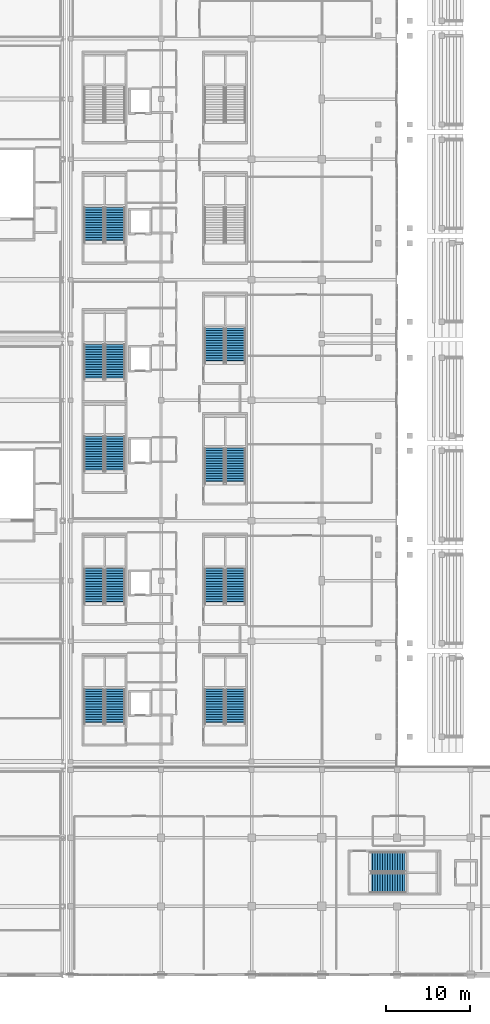
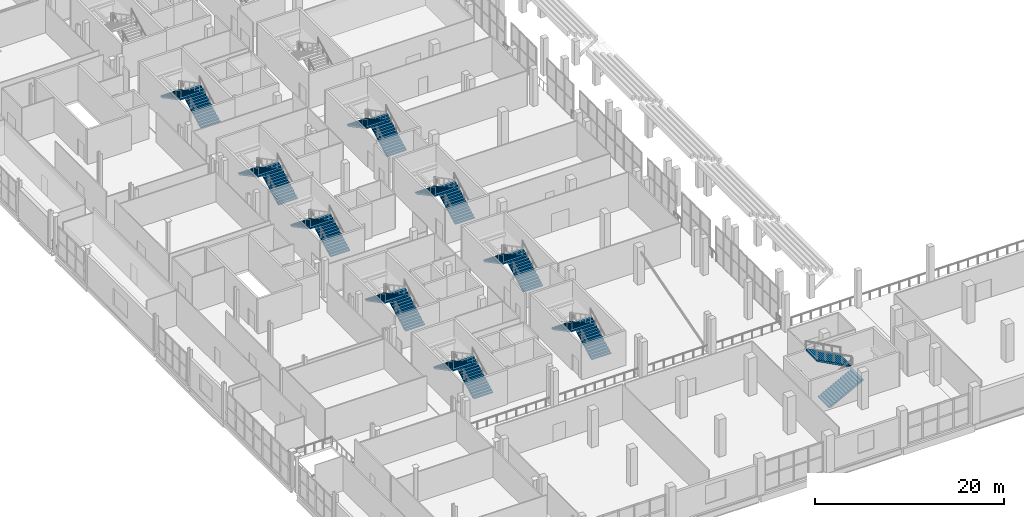
# One storey, part 106 of 142: 20 stair flights, 10 elements without a shape of their own.
"""IFC4 building model written with IfcOpenShell, lengths in metres."""

from ifc_helpers import new_model, si_unit, direction, frame, origin, place, context, subcontext, project, spatial, polyline, outline, extrude, material, type_object, element, aggregate, save


model = new_model("IFC4")

# Units and contexts
model_context = context("Model", 3, precision=1e-05, world=origin(), true_north=direction((0.0, 1.0)))
body_context = subcontext(model_context, "Body", "Model", "MODEL_VIEW")
ifc_project = project(units=[si_unit("LENGTHUNIT", "METRE"), si_unit("AREAUNIT", "SQUARE_METRE"), si_unit("VOLUMEUNIT", "CUBIC_METRE"), si_unit("PLANEANGLEUNIT", "RADIAN"), si_unit("MASSUNIT", "GRAM", prefix="KILO")], contexts=[model_context])

# Site, building, storey
site_placement = place(None, origin())
site = spatial("IfcSite", under=ifc_project, at=site_placement, CompositionType="ELEMENT")
building_placement = place(site_placement, origin())
building = spatial("IfcBuilding", under=site, at=building_placement, Name="Koshinbarg Plaza Stadium", CompositionType="ELEMENT")
storey_placement = place(building_placement, frame((0.0, 0.0, 10.199951171875)))
storey = spatial("IfcBuildingStorey", under=building, at=storey_placement, Name="L02", CompositionType="ELEMENT", Elevation=10.199951171875)

# Stair, stair flights
ifc_material = material(Name="Concrete C35/45", Category="concrete")
stair_type_1 = type_object("IfcStairType", Name="ST-CORE-48", PredefinedType="HALF_TURN_STAIR", material=ifc_material)
stair_1_placement = place(storey_placement, origin())
stair_1 = element("IfcStair", 1, at=stair_1_placement, inside=storey, type_object=stair_type_1, Name="L02 Protected Exit Stair C01", PredefinedType="HALF_TURN_STAIR")
stair_flight_type = type_object("IfcStairFlightType", Name="SFL-CORE-48", PredefinedType="STRAIGHT", material=ifc_material)
stair_flight_1_placement = place(storey_placement, frame((29.889892578125, 29.9599609375, 0.0), z_axis=(0.0, 0.0, 1.0), x_axis=(0.0, 1.0, 0.0)))
stair_flight_1 = element("IfcStairFlight", 2, at=stair_flight_1_placement, type_object=stair_flight_type, Name="L02 Protected Exit Stair C01 flight 005", NumberOfRisers=15, NumberOfTreads=14, PredefinedType="STRAIGHT", RiserHeight=0.16, TreadLength=0.3, context=body_context, shape_type="SweptSolid", body=[
    extrude(outline(polyline([(0.0, 0.0), (0.0, 0.159912109375), (0.300048828125, 0.159912109375), (0.300048828125, 0.320068359375), (0.60009765625, 0.320068359375), (0.60009765625, 0.47998046875), (0.89990234375, 0.47998046875), (0.89990234375, 0.639892578125), (1.199951171875, 0.639892578125), (1.199951171875, 0.800048828125), (1.5, 0.800048828125), (1.5, 0.9599609375), (1.800048828125, 0.9599609375), (1.800048828125, 1.1201171875), (2.10009765625, 1.1201171875), (2.10009765625, 1.280029296875), (2.39990234375, 1.280029296875), (2.39990234375, 1.43994140625), (2.699951171875, 1.43994140625), (2.699951171875, 1.60009765625), (3.0, 1.60009765625), (3.0, 1.760009765625), (3.300048828125, 1.760009765625), (3.300048828125, 1.919921875), (3.60009765625, 1.919921875), (3.60009765625, 2.080078125), (3.89990234375, 2.080078125), (3.89990234375, 2.239990234375), (4.199951171875, 2.239990234375), (4.199951171875, 2.39990234375), (4.199951171875, 2.070068359375), (0.318603515625, 0.0), (0.0, 0.0)])), frame((0.0, 1.18017578125, 0.0), z_axis=(0.0, -1.0, 0.0), x_axis=(1.0, 0.0, 0.0)), (0.0, 0.0, 1.0), 2.360107421875),
])
stair_flight_2_placement = place(storey_placement, frame((27.3798828125, 34.159912109375, 2.400146484375), z_axis=(0.0, 0.0, 1.0), x_axis=(0.0, -1.0, 0.0)))
stair_flight_2 = element("IfcStairFlight", 3, at=stair_flight_2_placement, type_object=stair_flight_type, Name="L02 Protected Exit Stair C01 flight 006", NumberOfRisers=15, NumberOfTreads=14, PredefinedType="STRAIGHT", RiserHeight=0.16, TreadLength=0.3, context=body_context, shape_type="SweptSolid", body=[
    extrude(outline(polyline([(0.0, 0.0), (0.0, 0.159912109375), (0.300048828125, 0.159912109375), (0.300048828125, 0.320068359375), (0.60009765625, 0.320068359375), (0.60009765625, 0.47998046875), (0.89990234375, 0.47998046875), (0.89990234375, 0.639892578125), (1.199951171875, 0.639892578125), (1.199951171875, 0.800048828125), (1.5, 0.800048828125), (1.5, 0.9599609375), (1.800048828125, 0.9599609375), (1.800048828125, 1.1201171875), (2.10009765625, 1.1201171875), (2.10009765625, 1.280029296875), (2.39990234375, 1.280029296875), (2.39990234375, 1.43994140625), (2.699951171875, 1.43994140625), (2.699951171875, 1.60009765625), (3.0, 1.60009765625), (3.0, 1.760009765625), (3.300048828125, 1.760009765625), (3.300048828125, 1.919921875), (3.60009765625, 1.919921875), (3.60009765625, 2.080078125), (3.89990234375, 2.080078125), (3.89990234375, 2.239990234375), (4.199951171875, 2.239990234375), (4.199951171875, 2.39990234375), (4.199951171875, 2.070068359375), (0.318603515625, 0.0), (0.0, 0.0)])), frame((0.0, 1.18017578125, 0.0), z_axis=(0.0, -1.0, 0.0), x_axis=(1.0, 0.0, 0.0)), (0.0, 0.0, 1.0), 2.360107421875),
])
aggregate(stair_1, [stair_flight_1, stair_flight_2])

stair_2_placement = place(storey_placement, origin())
stair_2 = element("IfcStair", 4, at=stair_2_placement, inside=storey, type_object=stair_type_1, Name="L02 Protected Exit Stair C02", PredefinedType="HALF_TURN_STAIR")
stair_flight_3_placement = place(storey_placement, frame((29.889892578125, 44.360107421875, 0.0), z_axis=(0.0, 0.0, 1.0), x_axis=(0.0, 1.0, 0.0)))
stair_flight_3 = element("IfcStairFlight", 5, at=stair_flight_3_placement, type_object=stair_flight_type, Name="L02 Protected Exit Stair C02 flight 017", NumberOfRisers=15, NumberOfTreads=14, PredefinedType="STRAIGHT", RiserHeight=0.16, TreadLength=0.3, context=body_context, shape_type="SweptSolid", body=[
    extrude(outline(polyline([(0.0, 0.0), (0.0, 0.159912109375), (0.300048828125, 0.159912109375), (0.300048828125, 0.320068359375), (0.60009765625, 0.320068359375), (0.60009765625, 0.47998046875), (0.89990234375, 0.47998046875), (0.89990234375, 0.639892578125), (1.199951171875, 0.639892578125), (1.199951171875, 0.800048828125), (1.5, 0.800048828125), (1.5, 0.9599609375), (1.800048828125, 0.9599609375), (1.800048828125, 1.1201171875), (2.10009765625, 1.1201171875), (2.10009765625, 1.280029296875), (2.39990234375, 1.280029296875), (2.39990234375, 1.43994140625), (2.699951171875, 1.43994140625), (2.699951171875, 1.60009765625), (3.0, 1.60009765625), (3.0, 1.760009765625), (3.300048828125, 1.760009765625), (3.300048828125, 1.919921875), (3.60009765625, 1.919921875), (3.60009765625, 2.080078125), (3.89990234375, 2.080078125), (3.89990234375, 2.239990234375), (4.199951171875, 2.239990234375), (4.199951171875, 2.39990234375), (4.199951171875, 2.070068359375), (0.318603515625, 0.0), (0.0, 0.0)])), frame((0.0, 1.18017578125, 0.0), z_axis=(0.0, -1.0, 0.0), x_axis=(1.0, 0.0, 0.0)), (0.0, 0.0, 1.0), 2.360107421875),
])
stair_flight_4_placement = place(storey_placement, frame((27.3798828125, 48.56005859375, 2.400146484375), z_axis=(0.0, 0.0, 1.0), x_axis=(0.0, -1.0, 0.0)))
stair_flight_4 = element("IfcStairFlight", 6, at=stair_flight_4_placement, type_object=stair_flight_type, Name="L02 Protected Exit Stair C02 flight 018", NumberOfRisers=15, NumberOfTreads=14, PredefinedType="STRAIGHT", RiserHeight=0.16, TreadLength=0.3, context=body_context, shape_type="SweptSolid", body=[
    extrude(outline(polyline([(0.0, 0.0), (0.0, 0.159912109375), (0.300048828125, 0.159912109375), (0.300048828125, 0.320068359375), (0.60009765625, 0.320068359375), (0.60009765625, 0.47998046875), (0.89990234375, 0.47998046875), (0.89990234375, 0.639892578125), (1.199951171875, 0.639892578125), (1.199951171875, 0.800048828125), (1.5, 0.800048828125), (1.5, 0.9599609375), (1.800048828125, 0.9599609375), (1.800048828125, 1.1201171875), (2.10009765625, 1.1201171875), (2.10009765625, 1.280029296875), (2.39990234375, 1.280029296875), (2.39990234375, 1.43994140625), (2.699951171875, 1.43994140625), (2.699951171875, 1.60009765625), (3.0, 1.60009765625), (3.0, 1.760009765625), (3.300048828125, 1.760009765625), (3.300048828125, 1.919921875), (3.60009765625, 1.919921875), (3.60009765625, 2.080078125), (3.89990234375, 2.080078125), (3.89990234375, 2.239990234375), (4.199951171875, 2.239990234375), (4.199951171875, 2.39990234375), (4.199951171875, 2.070068359375), (0.318603515625, 0.0), (0.0, 0.0)])), frame((0.0, 1.18017578125, 0.0), z_axis=(0.0, -1.0, 0.0), x_axis=(1.0, 0.0, 0.0)), (0.0, 0.0, 1.0), 2.360107421875),
])
aggregate(stair_2, [stair_flight_3, stair_flight_4])

stair_3_placement = place(storey_placement, origin())
stair_3 = element("IfcStair", 7, at=stair_3_placement, inside=storey, type_object=stair_type_1, Name="L02 Protected Exit Stair C03", PredefinedType="HALF_TURN_STAIR")
stair_flight_5_placement = place(storey_placement, frame((29.889892578125, 60.159912109375, 0.0), z_axis=(0.0, 0.0, 1.0), x_axis=(0.0, 1.0, 0.0)))
stair_flight_5 = element("IfcStairFlight", 8, at=stair_flight_5_placement, type_object=stair_flight_type, Name="L02 Protected Exit Stair C03 flight 029", NumberOfRisers=15, NumberOfTreads=14, PredefinedType="STRAIGHT", RiserHeight=0.16, TreadLength=0.3, context=body_context, shape_type="SweptSolid", body=[
    extrude(outline(polyline([(0.0, 0.0), (0.0, 0.159912109375), (0.300048828125, 0.159912109375), (0.300048828125, 0.320068359375), (0.60009765625, 0.320068359375), (0.60009765625, 0.47998046875), (0.89990234375, 0.47998046875), (0.89990234375, 0.639892578125), (1.199951171875, 0.639892578125), (1.199951171875, 0.800048828125), (1.5, 0.800048828125), (1.5, 0.9599609375), (1.800048828125, 0.9599609375), (1.800048828125, 1.1201171875), (2.10009765625, 1.1201171875), (2.10009765625, 1.280029296875), (2.39990234375, 1.280029296875), (2.39990234375, 1.43994140625), (2.699951171875, 1.43994140625), (2.699951171875, 1.60009765625), (3.0, 1.60009765625), (3.0, 1.760009765625), (3.300048828125, 1.760009765625), (3.300048828125, 1.919921875), (3.60009765625, 1.919921875), (3.60009765625, 2.080078125), (3.89990234375, 2.080078125), (3.89990234375, 2.239990234375), (4.199951171875, 2.239990234375), (4.199951171875, 2.39990234375), (4.199951171875, 2.070068359375), (0.318603515625, 0.0), (0.0, 0.0)])), frame((0.0, 1.18017578125, 0.0), z_axis=(0.0, -1.0, 0.0), x_axis=(1.0, 0.0, 0.0)), (0.0, 0.0, 1.0), 2.360107421875),
])
stair_flight_6_placement = place(storey_placement, frame((27.3798828125, 64.360107421875, 2.400146484375), z_axis=(0.0, 0.0, 1.0), x_axis=(0.0, -1.0, 0.0)))
stair_flight_6 = element("IfcStairFlight", 9, at=stair_flight_6_placement, type_object=stair_flight_type, Name="L02 Protected Exit Stair C03 flight 030", NumberOfRisers=15, NumberOfTreads=14, PredefinedType="STRAIGHT", RiserHeight=0.16, TreadLength=0.3, context=body_context, shape_type="SweptSolid", body=[
    extrude(outline(polyline([(0.0, 0.0), (0.0, 0.159912109375), (0.300048828125, 0.159912109375), (0.300048828125, 0.320068359375), (0.60009765625, 0.320068359375), (0.60009765625, 0.47998046875), (0.89990234375, 0.47998046875), (0.89990234375, 0.639892578125), (1.199951171875, 0.639892578125), (1.199951171875, 0.800048828125), (1.5, 0.800048828125), (1.5, 0.9599609375), (1.800048828125, 0.9599609375), (1.800048828125, 1.1201171875), (2.10009765625, 1.1201171875), (2.10009765625, 1.280029296875), (2.39990234375, 1.280029296875), (2.39990234375, 1.43994140625), (2.699951171875, 1.43994140625), (2.699951171875, 1.60009765625), (3.0, 1.60009765625), (3.0, 1.760009765625), (3.300048828125, 1.760009765625), (3.300048828125, 1.919921875), (3.60009765625, 1.919921875), (3.60009765625, 2.080078125), (3.89990234375, 2.080078125), (3.89990234375, 2.239990234375), (4.199951171875, 2.239990234375), (4.199951171875, 2.39990234375), (4.199951171875, 2.070068359375), (0.318603515625, 0.0), (0.0, 0.0)])), frame((0.0, 1.18017578125, 0.0), z_axis=(0.0, -1.0, 0.0), x_axis=(1.0, 0.0, 0.0)), (0.0, 0.0, 1.0), 2.360107421875),
])
aggregate(stair_3, [stair_flight_5, stair_flight_6])

stair_4_placement = place(storey_placement, origin())
stair_4 = element("IfcStair", 10, at=stair_4_placement, inside=storey, type_object=stair_type_1, Name="L02 Protected Exit Stair C04", PredefinedType="HALF_TURN_STAIR")
stair_flight_7_placement = place(storey_placement, frame((29.889892578125, 71.159912109375, 0.0), z_axis=(0.0, 0.0, 1.0), x_axis=(0.0, 1.0, 0.0)))
stair_flight_7 = element("IfcStairFlight", 11, at=stair_flight_7_placement, type_object=stair_flight_type, Name="L02 Protected Exit Stair C04 flight 041", NumberOfRisers=15, NumberOfTreads=14, PredefinedType="STRAIGHT", RiserHeight=0.16, TreadLength=0.3, context=body_context, shape_type="SweptSolid", body=[
    extrude(outline(polyline([(0.0, 0.0), (0.0, 0.159912109375), (0.300048828125, 0.159912109375), (0.300048828125, 0.320068359375), (0.60009765625, 0.320068359375), (0.60009765625, 0.47998046875), (0.89990234375, 0.47998046875), (0.89990234375, 0.639892578125), (1.199951171875, 0.639892578125), (1.199951171875, 0.800048828125), (1.5, 0.800048828125), (1.5, 0.9599609375), (1.800048828125, 0.9599609375), (1.800048828125, 1.1201171875), (2.10009765625, 1.1201171875), (2.10009765625, 1.280029296875), (2.39990234375, 1.280029296875), (2.39990234375, 1.43994140625), (2.699951171875, 1.43994140625), (2.699951171875, 1.60009765625), (3.0, 1.60009765625), (3.0, 1.760009765625), (3.300048828125, 1.760009765625), (3.300048828125, 1.919921875), (3.60009765625, 1.919921875), (3.60009765625, 2.080078125), (3.89990234375, 2.080078125), (3.89990234375, 2.239990234375), (4.199951171875, 2.239990234375), (4.199951171875, 2.39990234375), (4.199951171875, 2.070068359375), (0.318603515625, 0.0), (0.0, 0.0)])), frame((0.0, 1.18017578125, 0.0), z_axis=(0.0, -1.0, 0.0), x_axis=(1.0, 0.0, 0.0)), (0.0, 0.0, 1.0), 2.360107421875),
])
stair_flight_8_placement = place(storey_placement, frame((27.3798828125, 75.360107421875, 2.400146484375), z_axis=(0.0, 0.0, 1.0), x_axis=(0.0, -1.0, 0.0)))
stair_flight_8 = element("IfcStairFlight", 12, at=stair_flight_8_placement, type_object=stair_flight_type, Name="L02 Protected Exit Stair C04 flight 042", NumberOfRisers=15, NumberOfTreads=14, PredefinedType="STRAIGHT", RiserHeight=0.16, TreadLength=0.3, context=body_context, shape_type="SweptSolid", body=[
    extrude(outline(polyline([(0.0, 0.0), (0.0, 0.159912109375), (0.300048828125, 0.159912109375), (0.300048828125, 0.320068359375), (0.60009765625, 0.320068359375), (0.60009765625, 0.47998046875), (0.89990234375, 0.47998046875), (0.89990234375, 0.639892578125), (1.199951171875, 0.639892578125), (1.199951171875, 0.800048828125), (1.5, 0.800048828125), (1.5, 0.9599609375), (1.800048828125, 0.9599609375), (1.800048828125, 1.1201171875), (2.10009765625, 1.1201171875), (2.10009765625, 1.280029296875), (2.39990234375, 1.280029296875), (2.39990234375, 1.43994140625), (2.699951171875, 1.43994140625), (2.699951171875, 1.60009765625), (3.0, 1.60009765625), (3.0, 1.760009765625), (3.300048828125, 1.760009765625), (3.300048828125, 1.919921875), (3.60009765625, 1.919921875), (3.60009765625, 2.080078125), (3.89990234375, 2.080078125), (3.89990234375, 2.239990234375), (4.199951171875, 2.239990234375), (4.199951171875, 2.39990234375), (4.199951171875, 2.070068359375), (0.318603515625, 0.0), (0.0, 0.0)])), frame((0.0, 1.18017578125, 0.0), z_axis=(0.0, -1.0, 0.0), x_axis=(1.0, 0.0, 0.0)), (0.0, 0.0, 1.0), 2.360107421875),
])
aggregate(stair_4, [stair_flight_7, stair_flight_8])

stair_5_placement = place(storey_placement, origin())
stair_5 = element("IfcStair", 13, at=stair_5_placement, inside=storey, type_object=stair_type_1, Name="L02 Protected Exit Stair C05", PredefinedType="HALF_TURN_STAIR")
stair_flight_9_placement = place(storey_placement, frame((29.889892578125, 87.56005859375, 0.0), z_axis=(0.0, 0.0, 1.0), x_axis=(0.0, 1.0, 0.0)))
stair_flight_9 = element("IfcStairFlight", 14, at=stair_flight_9_placement, type_object=stair_flight_type, Name="L02 Protected Exit Stair C05 flight 053", NumberOfRisers=15, NumberOfTreads=14, PredefinedType="STRAIGHT", RiserHeight=0.16, TreadLength=0.3, context=body_context, shape_type="SweptSolid", body=[
    extrude(outline(polyline([(0.0, 0.0), (0.0, 0.159912109375), (0.300048828125, 0.159912109375), (0.300048828125, 0.320068359375), (0.60009765625, 0.320068359375), (0.60009765625, 0.47998046875), (0.89990234375, 0.47998046875), (0.89990234375, 0.639892578125), (1.199951171875, 0.639892578125), (1.199951171875, 0.800048828125), (1.5, 0.800048828125), (1.5, 0.9599609375), (1.800048828125, 0.9599609375), (1.800048828125, 1.1201171875), (2.10009765625, 1.1201171875), (2.10009765625, 1.280029296875), (2.39990234375, 1.280029296875), (2.39990234375, 1.43994140625), (2.699951171875, 1.43994140625), (2.699951171875, 1.60009765625), (3.0, 1.60009765625), (3.0, 1.760009765625), (3.300048828125, 1.760009765625), (3.300048828125, 1.919921875), (3.60009765625, 1.919921875), (3.60009765625, 2.080078125), (3.89990234375, 2.080078125), (3.89990234375, 2.239990234375), (4.199951171875, 2.239990234375), (4.199951171875, 2.39990234375), (4.199951171875, 2.070068359375), (0.318603515625, 0.0), (0.0, 0.0)])), frame((0.0, 1.18017578125, 0.0), z_axis=(0.0, -1.0, 0.0), x_axis=(1.0, 0.0, 0.0)), (0.0, 0.0, 1.0), 2.360107421875),
])
stair_flight_10_placement = place(storey_placement, frame((27.3798828125, 91.760009765625, 2.400146484375), z_axis=(0.0, 0.0, 1.0), x_axis=(0.0, -1.0, 0.0)))
stair_flight_10 = element("IfcStairFlight", 15, at=stair_flight_10_placement, type_object=stair_flight_type, Name="L02 Protected Exit Stair C05 flight 054", NumberOfRisers=15, NumberOfTreads=14, PredefinedType="STRAIGHT", RiserHeight=0.16, TreadLength=0.3, context=body_context, shape_type="SweptSolid", body=[
    extrude(outline(polyline([(0.0, 0.0), (0.0, 0.159912109375), (0.300048828125, 0.159912109375), (0.300048828125, 0.320068359375), (0.60009765625, 0.320068359375), (0.60009765625, 0.47998046875), (0.89990234375, 0.47998046875), (0.89990234375, 0.639892578125), (1.199951171875, 0.639892578125), (1.199951171875, 0.800048828125), (1.5, 0.800048828125), (1.5, 0.9599609375), (1.800048828125, 0.9599609375), (1.800048828125, 1.1201171875), (2.10009765625, 1.1201171875), (2.10009765625, 1.280029296875), (2.39990234375, 1.280029296875), (2.39990234375, 1.43994140625), (2.699951171875, 1.43994140625), (2.699951171875, 1.60009765625), (3.0, 1.60009765625), (3.0, 1.760009765625), (3.300048828125, 1.760009765625), (3.300048828125, 1.919921875), (3.60009765625, 1.919921875), (3.60009765625, 2.080078125), (3.89990234375, 2.080078125), (3.89990234375, 2.239990234375), (4.199951171875, 2.239990234375), (4.199951171875, 2.39990234375), (4.199951171875, 2.070068359375), (0.318603515625, 0.0), (0.0, 0.0)])), frame((0.0, 1.18017578125, 0.0), z_axis=(0.0, -1.0, 0.0), x_axis=(1.0, 0.0, 0.0)), (0.0, 0.0, 1.0), 2.360107421875),
])
aggregate(stair_5, [stair_flight_9, stair_flight_10])

stair_6_placement = place(storey_placement, origin())
stair_6 = element("IfcStair", 16, at=stair_6_placement, inside=storey, type_object=stair_type_1, Name="L02 Protected Exit Stair C13", PredefinedType="HALF_TURN_STAIR")
stair_flight_11_placement = place(storey_placement, frame((60.360107421875, 10.97998046875, 0.0), z_axis=(0.0, 0.0, 1.0), x_axis=(1.0, 0.0, 0.0)))
stair_flight_11 = element("IfcStairFlight", 17, at=stair_flight_11_placement, type_object=stair_flight_type, Name="L02 Protected Exit Stair C13 flight 129", NumberOfRisers=15, NumberOfTreads=14, PredefinedType="STRAIGHT", RiserHeight=0.16, TreadLength=0.3, context=body_context, shape_type="SweptSolid", body=[
    extrude(outline(polyline([(0.0, 0.0), (0.0, 0.159912109375), (0.300048828125, 0.159912109375), (0.300048828125, 0.320068359375), (0.60009765625, 0.320068359375), (0.60009765625, 0.47998046875), (0.89990234375, 0.47998046875), (0.89990234375, 0.639892578125), (1.199951171875, 0.639892578125), (1.199951171875, 0.800048828125), (1.5, 0.800048828125), (1.5, 0.9599609375), (1.800048828125, 0.9599609375), (1.800048828125, 1.1201171875), (2.10009765625, 1.1201171875), (2.10009765625, 1.280029296875), (2.39990234375, 1.280029296875), (2.39990234375, 1.43994140625), (2.699951171875, 1.43994140625), (2.699951171875, 1.60009765625), (3.0, 1.60009765625), (3.0, 1.760009765625), (3.300048828125, 1.760009765625), (3.300048828125, 1.919921875), (3.60009765625, 1.919921875), (3.60009765625, 2.080078125), (3.89990234375, 2.080078125), (3.89990234375, 2.239990234375), (4.199951171875, 2.239990234375), (4.199951171875, 2.39990234375), (4.199951171875, 2.070068359375), (0.318603515625, 0.0), (0.0, 0.0)])), frame((0.0, 1.18017578125, 0.0), z_axis=(0.0, -1.0, 0.0), x_axis=(1.0, 0.0, 0.0)), (0.0, 0.0, 1.0), 2.360107421875),
])
stair_flight_12_placement = place(storey_placement, frame((64.56005859375, 13.489990234375, 2.400146484375), z_axis=(0.0, 0.0, 1.0), x_axis=(-1.0, 0.0, 0.0)))
stair_flight_12 = element("IfcStairFlight", 18, at=stair_flight_12_placement, type_object=stair_flight_type, Name="L02 Protected Exit Stair C13 flight 130", NumberOfRisers=15, NumberOfTreads=14, PredefinedType="STRAIGHT", RiserHeight=0.16, TreadLength=0.3, context=body_context, shape_type="SweptSolid", body=[
    extrude(outline(polyline([(0.0, 0.0), (0.0, 0.159912109375), (0.300048828125, 0.159912109375), (0.300048828125, 0.320068359375), (0.60009765625, 0.320068359375), (0.60009765625, 0.47998046875), (0.89990234375, 0.47998046875), (0.89990234375, 0.639892578125), (1.199951171875, 0.639892578125), (1.199951171875, 0.800048828125), (1.5, 0.800048828125), (1.5, 0.9599609375), (1.800048828125, 0.9599609375), (1.800048828125, 1.1201171875), (2.10009765625, 1.1201171875), (2.10009765625, 1.280029296875), (2.39990234375, 1.280029296875), (2.39990234375, 1.43994140625), (2.699951171875, 1.43994140625), (2.699951171875, 1.60009765625), (3.0, 1.60009765625), (3.0, 1.760009765625), (3.300048828125, 1.760009765625), (3.300048828125, 1.919921875), (3.60009765625, 1.919921875), (3.60009765625, 2.080078125), (3.89990234375, 2.080078125), (3.89990234375, 2.239990234375), (4.199951171875, 2.239990234375), (4.199951171875, 2.39990234375), (4.199951171875, 2.070068359375), (0.318603515625, 0.0), (0.0, 0.0)])), frame((0.0, 1.18017578125, 0.0), z_axis=(0.0, -1.0, 0.0), x_axis=(1.0, 0.0, 0.0)), (0.0, 0.0, 1.0), 2.360107421875),
])
aggregate(stair_6, [stair_flight_11, stair_flight_12])

stair_type_2 = type_object("IfcStairType", Name="ST-VOM-48", PredefinedType="HALF_TURN_STAIR", material=ifc_material)
stair_7_placement = place(storey_placement, origin())
stair_7 = element("IfcStair", 19, at=stair_7_placement, inside=storey, type_object=stair_type_2, Name="L02 Upper Vomitory Stair VX01", PredefinedType="HALF_TURN_STAIR")
stair_flight_13_placement = place(storey_placement, frame((44.2900390625, 29.9599609375, 0.0), z_axis=(0.0, 0.0, 1.0), x_axis=(0.0, 1.0, 0.0)))
stair_flight_13 = element("IfcStairFlight", 20, at=stair_flight_13_placement, type_object=stair_flight_type, Name="L02 Upper Vomitory Stair VX01 flight 153", NumberOfRisers=15, NumberOfTreads=14, PredefinedType="STRAIGHT", RiserHeight=0.16, TreadLength=0.3, context=body_context, shape_type="SweptSolid", body=[
    extrude(outline(polyline([(0.0, 0.0), (0.0, 0.159912109375), (0.300048828125, 0.159912109375), (0.300048828125, 0.320068359375), (0.60009765625, 0.320068359375), (0.60009765625, 0.47998046875), (0.89990234375, 0.47998046875), (0.89990234375, 0.639892578125), (1.199951171875, 0.639892578125), (1.199951171875, 0.800048828125), (1.5, 0.800048828125), (1.5, 0.9599609375), (1.800048828125, 0.9599609375), (1.800048828125, 1.1201171875), (2.10009765625, 1.1201171875), (2.10009765625, 1.280029296875), (2.39990234375, 1.280029296875), (2.39990234375, 1.43994140625), (2.699951171875, 1.43994140625), (2.699951171875, 1.60009765625), (3.0, 1.60009765625), (3.0, 1.760009765625), (3.300048828125, 1.760009765625), (3.300048828125, 1.919921875), (3.60009765625, 1.919921875), (3.60009765625, 2.080078125), (3.89990234375, 2.080078125), (3.89990234375, 2.239990234375), (4.199951171875, 2.239990234375), (4.199951171875, 2.39990234375), (4.199951171875, 2.070068359375), (0.318603515625, 0.0), (0.0, 0.0)])), frame((0.0, 1.18017578125, 0.0), z_axis=(0.0, -1.0, 0.0), x_axis=(1.0, 0.0, 0.0)), (0.0, 0.0, 1.0), 2.360107421875),
])
stair_flight_14_placement = place(storey_placement, frame((41.780029296875, 34.159912109375, 2.400146484375), z_axis=(0.0, 0.0, 1.0), x_axis=(0.0, -1.0, 0.0)))
stair_flight_14 = element("IfcStairFlight", 21, at=stair_flight_14_placement, type_object=stair_flight_type, Name="L02 Upper Vomitory Stair VX01 flight 154", NumberOfRisers=15, NumberOfTreads=14, PredefinedType="STRAIGHT", RiserHeight=0.16, TreadLength=0.3, context=body_context, shape_type="SweptSolid", body=[
    extrude(outline(polyline([(0.0, 0.0), (0.0, 0.159912109375), (0.300048828125, 0.159912109375), (0.300048828125, 0.320068359375), (0.60009765625, 0.320068359375), (0.60009765625, 0.47998046875), (0.89990234375, 0.47998046875), (0.89990234375, 0.639892578125), (1.199951171875, 0.639892578125), (1.199951171875, 0.800048828125), (1.5, 0.800048828125), (1.5, 0.9599609375), (1.800048828125, 0.9599609375), (1.800048828125, 1.1201171875), (2.10009765625, 1.1201171875), (2.10009765625, 1.280029296875), (2.39990234375, 1.280029296875), (2.39990234375, 1.43994140625), (2.699951171875, 1.43994140625), (2.699951171875, 1.60009765625), (3.0, 1.60009765625), (3.0, 1.760009765625), (3.300048828125, 1.760009765625), (3.300048828125, 1.919921875), (3.60009765625, 1.919921875), (3.60009765625, 2.080078125), (3.89990234375, 2.080078125), (3.89990234375, 2.239990234375), (4.199951171875, 2.239990234375), (4.199951171875, 2.39990234375), (4.199951171875, 2.070068359375), (0.318603515625, 0.0), (0.0, 0.0)])), frame((0.0, 1.18017578125, 0.0), z_axis=(0.0, -1.0, 0.0), x_axis=(1.0, 0.0, 0.0)), (0.0, 0.0, 1.0), 2.360107421875),
])
aggregate(stair_7, [stair_flight_13, stair_flight_14])

stair_8_placement = place(storey_placement, origin())
stair_8 = element("IfcStair", 22, at=stair_8_placement, inside=storey, type_object=stair_type_2, Name="L02 Upper Vomitory Stair VX02", PredefinedType="HALF_TURN_STAIR")
stair_flight_15_placement = place(storey_placement, frame((44.2900390625, 44.360107421875, 0.0), z_axis=(0.0, 0.0, 1.0), x_axis=(0.0, 1.0, 0.0)))
stair_flight_15 = element("IfcStairFlight", 23, at=stair_flight_15_placement, type_object=stair_flight_type, Name="L02 Upper Vomitory Stair VX02 flight 159", NumberOfRisers=15, NumberOfTreads=14, PredefinedType="STRAIGHT", RiserHeight=0.16, TreadLength=0.3, context=body_context, shape_type="SweptSolid", body=[
    extrude(outline(polyline([(0.0, 0.0), (0.0, 0.159912109375), (0.300048828125, 0.159912109375), (0.300048828125, 0.320068359375), (0.60009765625, 0.320068359375), (0.60009765625, 0.47998046875), (0.89990234375, 0.47998046875), (0.89990234375, 0.639892578125), (1.199951171875, 0.639892578125), (1.199951171875, 0.800048828125), (1.5, 0.800048828125), (1.5, 0.9599609375), (1.800048828125, 0.9599609375), (1.800048828125, 1.1201171875), (2.10009765625, 1.1201171875), (2.10009765625, 1.280029296875), (2.39990234375, 1.280029296875), (2.39990234375, 1.43994140625), (2.699951171875, 1.43994140625), (2.699951171875, 1.60009765625), (3.0, 1.60009765625), (3.0, 1.760009765625), (3.300048828125, 1.760009765625), (3.300048828125, 1.919921875), (3.60009765625, 1.919921875), (3.60009765625, 2.080078125), (3.89990234375, 2.080078125), (3.89990234375, 2.239990234375), (4.199951171875, 2.239990234375), (4.199951171875, 2.39990234375), (4.199951171875, 2.070068359375), (0.318603515625, 0.0), (0.0, 0.0)])), frame((0.0, 1.18017578125, 0.0), z_axis=(0.0, -1.0, 0.0), x_axis=(1.0, 0.0, 0.0)), (0.0, 0.0, 1.0), 2.360107421875),
])
stair_flight_16_placement = place(storey_placement, frame((41.780029296875, 48.56005859375, 2.400146484375), z_axis=(0.0, 0.0, 1.0), x_axis=(0.0, -1.0, 0.0)))
stair_flight_16 = element("IfcStairFlight", 24, at=stair_flight_16_placement, type_object=stair_flight_type, Name="L02 Upper Vomitory Stair VX02 flight 160", NumberOfRisers=15, NumberOfTreads=14, PredefinedType="STRAIGHT", RiserHeight=0.16, TreadLength=0.3, context=body_context, shape_type="SweptSolid", body=[
    extrude(outline(polyline([(0.0, 0.0), (0.0, 0.159912109375), (0.300048828125, 0.159912109375), (0.300048828125, 0.320068359375), (0.60009765625, 0.320068359375), (0.60009765625, 0.47998046875), (0.89990234375, 0.47998046875), (0.89990234375, 0.639892578125), (1.199951171875, 0.639892578125), (1.199951171875, 0.800048828125), (1.5, 0.800048828125), (1.5, 0.9599609375), (1.800048828125, 0.9599609375), (1.800048828125, 1.1201171875), (2.10009765625, 1.1201171875), (2.10009765625, 1.280029296875), (2.39990234375, 1.280029296875), (2.39990234375, 1.43994140625), (2.699951171875, 1.43994140625), (2.699951171875, 1.60009765625), (3.0, 1.60009765625), (3.0, 1.760009765625), (3.300048828125, 1.760009765625), (3.300048828125, 1.919921875), (3.60009765625, 1.919921875), (3.60009765625, 2.080078125), (3.89990234375, 2.080078125), (3.89990234375, 2.239990234375), (4.199951171875, 2.239990234375), (4.199951171875, 2.39990234375), (4.199951171875, 2.070068359375), (0.318603515625, 0.0), (0.0, 0.0)])), frame((0.0, 1.18017578125, 0.0), z_axis=(0.0, -1.0, 0.0), x_axis=(1.0, 0.0, 0.0)), (0.0, 0.0, 1.0), 2.360107421875),
])
aggregate(stair_8, [stair_flight_15, stair_flight_16])

stair_9_placement = place(storey_placement, origin())
stair_9 = element("IfcStair", 25, at=stair_9_placement, inside=storey, type_object=stair_type_2, Name="L02 Upper Vomitory Stair VX03", PredefinedType="HALF_TURN_STAIR")
stair_flight_17_placement = place(storey_placement, frame((44.2900390625, 58.760009765625, 0.0), z_axis=(0.0, 0.0, 1.0), x_axis=(0.0, 1.0, 0.0)))
stair_flight_17 = element("IfcStairFlight", 26, at=stair_flight_17_placement, type_object=stair_flight_type, Name="L02 Upper Vomitory Stair VX03 flight 165", NumberOfRisers=15, NumberOfTreads=14, PredefinedType="STRAIGHT", RiserHeight=0.16, TreadLength=0.3, context=body_context, shape_type="SweptSolid", body=[
    extrude(outline(polyline([(0.0, 0.0), (0.0, 0.159912109375), (0.300048828125, 0.159912109375), (0.300048828125, 0.320068359375), (0.60009765625, 0.320068359375), (0.60009765625, 0.47998046875), (0.89990234375, 0.47998046875), (0.89990234375, 0.639892578125), (1.199951171875, 0.639892578125), (1.199951171875, 0.800048828125), (1.5, 0.800048828125), (1.5, 0.9599609375), (1.800048828125, 0.9599609375), (1.800048828125, 1.1201171875), (2.10009765625, 1.1201171875), (2.10009765625, 1.280029296875), (2.39990234375, 1.280029296875), (2.39990234375, 1.43994140625), (2.699951171875, 1.43994140625), (2.699951171875, 1.60009765625), (3.0, 1.60009765625), (3.0, 1.760009765625), (3.300048828125, 1.760009765625), (3.300048828125, 1.919921875), (3.60009765625, 1.919921875), (3.60009765625, 2.080078125), (3.89990234375, 2.080078125), (3.89990234375, 2.239990234375), (4.199951171875, 2.239990234375), (4.199951171875, 2.39990234375), (4.199951171875, 2.070068359375), (0.318603515625, 0.0), (0.0, 0.0)])), frame((0.0, 1.18017578125, 0.0), z_axis=(0.0, -1.0, 0.0), x_axis=(1.0, 0.0, 0.0)), (0.0, 0.0, 1.0), 2.360107421875),
])
stair_flight_18_placement = place(storey_placement, frame((41.780029296875, 62.9599609375, 2.400146484375), z_axis=(0.0, 0.0, 1.0), x_axis=(0.0, -1.0, 0.0)))
stair_flight_18 = element("IfcStairFlight", 27, at=stair_flight_18_placement, type_object=stair_flight_type, Name="L02 Upper Vomitory Stair VX03 flight 166", NumberOfRisers=15, NumberOfTreads=14, PredefinedType="STRAIGHT", RiserHeight=0.16, TreadLength=0.3, context=body_context, shape_type="SweptSolid", body=[
    extrude(outline(polyline([(0.0, 0.0), (0.0, 0.159912109375), (0.300048828125, 0.159912109375), (0.300048828125, 0.320068359375), (0.60009765625, 0.320068359375), (0.60009765625, 0.47998046875), (0.89990234375, 0.47998046875), (0.89990234375, 0.639892578125), (1.199951171875, 0.639892578125), (1.199951171875, 0.800048828125), (1.5, 0.800048828125), (1.5, 0.9599609375), (1.800048828125, 0.9599609375), (1.800048828125, 1.1201171875), (2.10009765625, 1.1201171875), (2.10009765625, 1.280029296875), (2.39990234375, 1.280029296875), (2.39990234375, 1.43994140625), (2.699951171875, 1.43994140625), (2.699951171875, 1.60009765625), (3.0, 1.60009765625), (3.0, 1.760009765625), (3.300048828125, 1.760009765625), (3.300048828125, 1.919921875), (3.60009765625, 1.919921875), (3.60009765625, 2.080078125), (3.89990234375, 2.080078125), (3.89990234375, 2.239990234375), (4.199951171875, 2.239990234375), (4.199951171875, 2.39990234375), (4.199951171875, 2.070068359375), (0.318603515625, 0.0), (0.0, 0.0)])), frame((0.0, 1.18017578125, 0.0), z_axis=(0.0, -1.0, 0.0), x_axis=(1.0, 0.0, 0.0)), (0.0, 0.0, 1.0), 2.360107421875),
])
aggregate(stair_9, [stair_flight_17, stair_flight_18])

stair_10_placement = place(storey_placement, origin())
stair_10 = element("IfcStair", 28, at=stair_10_placement, inside=storey, type_object=stair_type_2, Name="L02 Upper Vomitory Stair VX04", PredefinedType="HALF_TURN_STAIR")
stair_flight_19_placement = place(storey_placement, frame((44.2900390625, 73.159912109375, 0.0), z_axis=(0.0, 0.0, 1.0), x_axis=(0.0, 1.0, 0.0)))
stair_flight_19 = element("IfcStairFlight", 29, at=stair_flight_19_placement, type_object=stair_flight_type, Name="L02 Upper Vomitory Stair VX04 flight 171", NumberOfRisers=15, NumberOfTreads=14, PredefinedType="STRAIGHT", RiserHeight=0.16, TreadLength=0.3, context=body_context, shape_type="SweptSolid", body=[
    extrude(outline(polyline([(0.0, 0.0), (0.0, 0.159912109375), (0.300048828125, 0.159912109375), (0.300048828125, 0.320068359375), (0.60009765625, 0.320068359375), (0.60009765625, 0.47998046875), (0.89990234375, 0.47998046875), (0.89990234375, 0.639892578125), (1.199951171875, 0.639892578125), (1.199951171875, 0.800048828125), (1.5, 0.800048828125), (1.5, 0.9599609375), (1.800048828125, 0.9599609375), (1.800048828125, 1.1201171875), (2.10009765625, 1.1201171875), (2.10009765625, 1.280029296875), (2.39990234375, 1.280029296875), (2.39990234375, 1.43994140625), (2.699951171875, 1.43994140625), (2.699951171875, 1.60009765625), (3.0, 1.60009765625), (3.0, 1.760009765625), (3.300048828125, 1.760009765625), (3.300048828125, 1.919921875), (3.60009765625, 1.919921875), (3.60009765625, 2.080078125), (3.89990234375, 2.080078125), (3.89990234375, 2.239990234375), (4.199951171875, 2.239990234375), (4.199951171875, 2.39990234375), (4.199951171875, 2.070068359375), (0.318603515625, 0.0), (0.0, 0.0)])), frame((0.0, 1.18017578125, 0.0), z_axis=(0.0, -1.0, 0.0), x_axis=(1.0, 0.0, 0.0)), (0.0, 0.0, 1.0), 2.360107421875),
])
stair_flight_20_placement = place(storey_placement, frame((41.780029296875, 77.360107421875, 2.400146484375), z_axis=(0.0, 0.0, 1.0), x_axis=(0.0, -1.0, 0.0)))
stair_flight_20 = element("IfcStairFlight", 30, at=stair_flight_20_placement, type_object=stair_flight_type, Name="L02 Upper Vomitory Stair VX04 flight 172", NumberOfRisers=15, NumberOfTreads=14, PredefinedType="STRAIGHT", RiserHeight=0.16, TreadLength=0.3, context=body_context, shape_type="SweptSolid", body=[
    extrude(outline(polyline([(0.0, 0.0), (0.0, 0.159912109375), (0.300048828125, 0.159912109375), (0.300048828125, 0.320068359375), (0.60009765625, 0.320068359375), (0.60009765625, 0.47998046875), (0.89990234375, 0.47998046875), (0.89990234375, 0.639892578125), (1.199951171875, 0.639892578125), (1.199951171875, 0.800048828125), (1.5, 0.800048828125), (1.5, 0.9599609375), (1.800048828125, 0.9599609375), (1.800048828125, 1.1201171875), (2.10009765625, 1.1201171875), (2.10009765625, 1.280029296875), (2.39990234375, 1.280029296875), (2.39990234375, 1.43994140625), (2.699951171875, 1.43994140625), (2.699951171875, 1.60009765625), (3.0, 1.60009765625), (3.0, 1.760009765625), (3.300048828125, 1.760009765625), (3.300048828125, 1.919921875), (3.60009765625, 1.919921875), (3.60009765625, 2.080078125), (3.89990234375, 2.080078125), (3.89990234375, 2.239990234375), (4.199951171875, 2.239990234375), (4.199951171875, 2.39990234375), (4.199951171875, 2.070068359375), (0.318603515625, 0.0), (0.0, 0.0)])), frame((0.0, 1.18017578125, 0.0), z_axis=(0.0, -1.0, 0.0), x_axis=(1.0, 0.0, 0.0)), (0.0, 0.0, 1.0), 2.360107421875),
])
aggregate(stair_10, [stair_flight_19, stair_flight_20])

save(model, "model.ifc")
